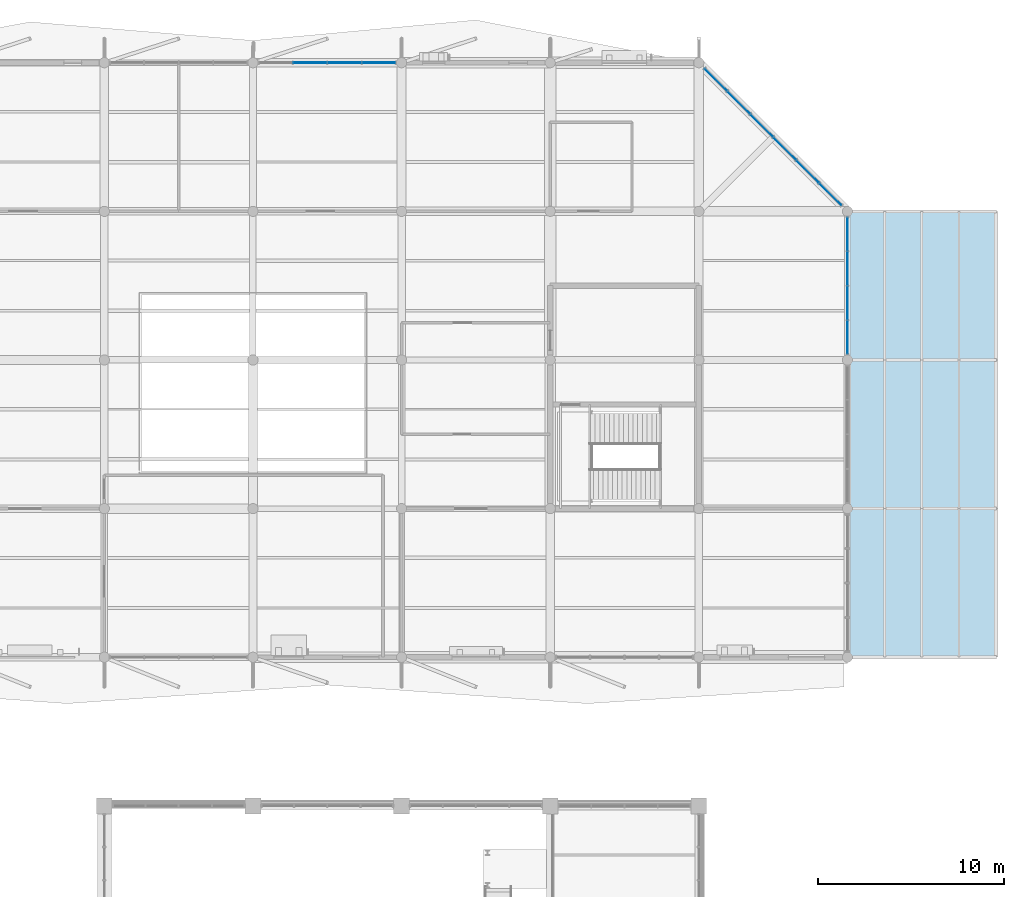
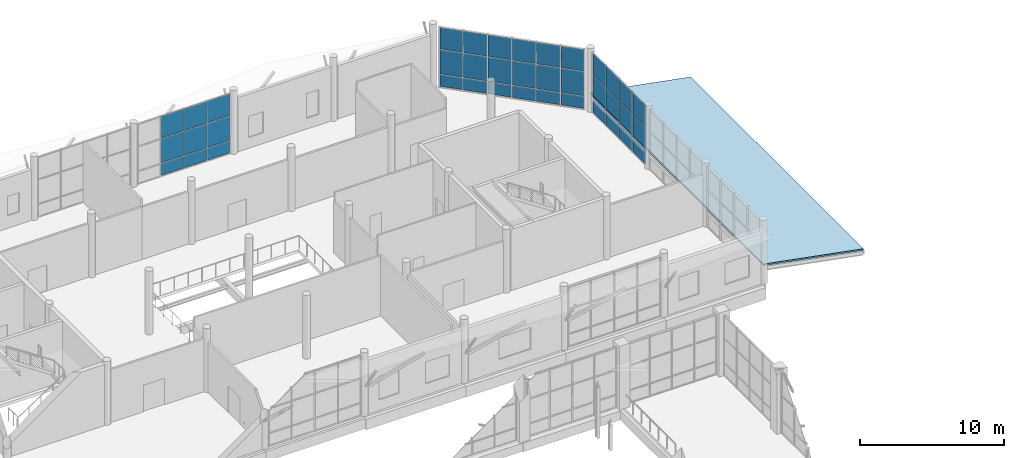
# One storey, part 97 of 122: 39 plates, 1 slab, 3 elements without a shape of their own.
"""IFC4 building model written with IfcOpenShell, lengths in metres."""

from ifc_helpers import new_model, si_unit, direction, frame, origin, origin_2d, place, context, subcontext, project, spatial, polyline, rectangle, outline, extrude, material, layer, layer_set, type_object, element, aggregate, save


model = new_model("IFC4")

# Units and contexts
model_context = context("Model", 3, precision=1e-05, world=origin(), true_north=direction((0.0, 1.0)))
body_context = subcontext(model_context, "Body", "Model", "MODEL_VIEW")
ifc_project = project(units=[si_unit("LENGTHUNIT", "METRE"), si_unit("AREAUNIT", "SQUARE_METRE"), si_unit("VOLUMEUNIT", "CUBIC_METRE"), si_unit("PLANEANGLEUNIT", "RADIAN"), si_unit("MASSUNIT", "GRAM", prefix="KILO")], contexts=[model_context])

# Site, building, storey
site_placement = place(None, origin())
site = spatial("IfcSite", under=ifc_project, at=site_placement, CompositionType="ELEMENT")
building_placement = place(site_placement, origin())
building = spatial("IfcBuilding", under=site, at=building_placement, Name="Tenunan Teduh Sports Hall", CompositionType="ELEMENT")
storey_placement = place(building_placement, frame((0.0, 0.0, 5.39990234375)))
storey = spatial("IfcBuildingStorey", under=building, at=storey_placement, Name="L01", CompositionType="ELEMENT", Elevation=5.39990234375)

# Curtain wall, plates
ifc_material_1 = material(Name="Anodised aluminium", Category="aluminium")
curtain_wall_type = type_object("IfcCurtainWallType", Name="CW-UNIT-1", PredefinedType="NOTDEFINED", material=ifc_material_1)
curtain_wall_1_placement = place(storey_placement, origin())
curtain_wall_1 = element("IfcCurtainWall", 1, at=curtain_wall_1_placement, inside=storey, type_object=curtain_wall_type, Name="CW-CWM-200-L01-248", PredefinedType="NOTDEFINED")
ifc_material_2 = material(Name="Low-E laminated double glazing", Category="glass")
ifc_layer_1 = layer(ifc_material_2, 0.028076171875)
ifc_layer_set_1 = layer_set([ifc_layer_1], Name="Low-E laminated double glazing")
plate_type_1 = type_object("IfcPlateType", Name="CWP-GLZ-28", PredefinedType="CURTAIN_PANEL", material=ifc_layer_set_1)
plate_1_placement = place(storey_placement, frame((154.919677734375, 117.080322265625, 1.13525390625), z_axis=(0.0, 0.0, 1.0), x_axis=(0.707106781187, -0.707106781187, 0.0)))
plate_1 = element("IfcPlate", 2, at=plate_1_placement, type_object=plate_type_1, Name="CW-01 panel 1.2", PredefinedType="CURTAIN_PANEL", context=body_context, shape_type="SweptSolid", body=[
    extrude(rectangle(XDim=1.64453125, YDim=0.028076171875, at=origin_2d()), origin(), (0.0, 0.0, 1.0), 2.030029296875),
])
plate_2_placement = place(storey_placement, frame((154.919677734375, 117.080322265625, 3.235107421875), z_axis=(0.0, 0.0, 1.0), x_axis=(0.707106781187, -0.707106781187, 0.0)))
plate_2 = element("IfcPlate", 3, at=plate_2_placement, type_object=plate_type_1, Name="CW-01 panel 1.3", PredefinedType="CURTAIN_PANEL", context=body_context, shape_type="SweptSolid", body=[
    extrude(rectangle(XDim=1.64453125, YDim=0.028076171875, at=origin_2d()), origin(), (0.0, 0.0, 1.0), 1.81494140625),
])
plate_3_placement = place(storey_placement, frame((156.144287109375, 115.855712890625, 1.13525390625), z_axis=(0.0, 0.0, 1.0), x_axis=(0.707106781187, -0.707106781187, 0.0)))
plate_3 = element("IfcPlate", 4, at=plate_3_placement, type_object=plate_type_1, Name="CW-01 panel 2.2", PredefinedType="CURTAIN_PANEL", context=body_context, shape_type="SweptSolid", body=[
    extrude(rectangle(XDim=1.679443359375, YDim=0.028076171875, at=origin_2d()), origin(), (0.0, 0.0, 1.0), 2.030029296875),
])
plate_4_placement = place(storey_placement, frame((156.144287109375, 115.855712890625, 3.235107421875), z_axis=(0.0, 0.0, 1.0), x_axis=(0.707106781187, -0.707106781187, 0.0)))
plate_4 = element("IfcPlate", 5, at=plate_4_placement, type_object=plate_type_1, Name="CW-01 panel 2.3", PredefinedType="CURTAIN_PANEL", context=body_context, shape_type="SweptSolid", body=[
    extrude(rectangle(XDim=1.679443359375, YDim=0.028076171875, at=origin_2d()), origin(), (0.0, 0.0, 1.0), 1.81494140625),
])
plate_5_placement = place(storey_placement, frame((157.38134765625, 114.61865234375, 1.13525390625), z_axis=(0.0, 0.0, 1.0), x_axis=(0.707106781187, -0.707106781187, 0.0)))
plate_5 = element("IfcPlate", 6, at=plate_5_placement, type_object=plate_type_1, Name="CW-01 panel 3.2", PredefinedType="CURTAIN_PANEL", context=body_context, shape_type="SweptSolid", body=[
    extrude(rectangle(XDim=1.679443359375, YDim=0.028076171875, at=origin_2d()), origin(), (0.0, 0.0, 1.0), 2.030029296875),
])
plate_6_placement = place(storey_placement, frame((157.38134765625, 114.61865234375, 3.235107421875), z_axis=(0.0, 0.0, 1.0), x_axis=(0.707106781187, -0.707106781187, 0.0)))
plate_6 = element("IfcPlate", 7, at=plate_6_placement, type_object=plate_type_1, Name="CW-01 panel 3.3", PredefinedType="CURTAIN_PANEL", context=body_context, shape_type="SweptSolid", body=[
    extrude(rectangle(XDim=1.679443359375, YDim=0.028076171875, at=origin_2d()), origin(), (0.0, 0.0, 1.0), 1.81494140625),
])
plate_7_placement = place(storey_placement, frame((158.61865234375, 113.38134765625, 1.13525390625), z_axis=(0.0, 0.0, 1.0), x_axis=(0.707106781187, -0.707106781187, 0.0)))
plate_7 = element("IfcPlate", 8, at=plate_7_placement, type_object=plate_type_1, Name="CW-01 panel 4.2", PredefinedType="CURTAIN_PANEL", context=body_context, shape_type="SweptSolid", body=[
    extrude(rectangle(XDim=1.679443359375, YDim=0.028076171875, at=origin_2d()), origin(), (0.0, 0.0, 1.0), 2.030029296875),
])
plate_8_placement = place(storey_placement, frame((158.61865234375, 113.38134765625, 3.235107421875), z_axis=(0.0, 0.0, 1.0), x_axis=(0.707106781187, -0.707106781187, 0.0)))
plate_8 = element("IfcPlate", 9, at=plate_8_placement, type_object=plate_type_1, Name="CW-01 panel 4.3", PredefinedType="CURTAIN_PANEL", context=body_context, shape_type="SweptSolid", body=[
    extrude(rectangle(XDim=1.679443359375, YDim=0.028076171875, at=origin_2d()), origin(), (0.0, 0.0, 1.0), 1.81494140625),
])
plate_9_placement = place(storey_placement, frame((159.855712890625, 112.144287109375, 1.13525390625), z_axis=(0.0, 0.0, 1.0), x_axis=(0.707106781187, -0.707106781187, 0.0)))
plate_9 = element("IfcPlate", 10, at=plate_9_placement, type_object=plate_type_1, Name="CW-01 panel 5.2", PredefinedType="CURTAIN_PANEL", context=body_context, shape_type="SweptSolid", body=[
    extrude(rectangle(XDim=1.679443359375, YDim=0.028076171875, at=origin_2d()), origin(), (0.0, 0.0, 1.0), 2.030029296875),
])
plate_10_placement = place(storey_placement, frame((159.855712890625, 112.144287109375, 3.235107421875), z_axis=(0.0, 0.0, 1.0), x_axis=(0.707106781187, -0.707106781187, 0.0)))
plate_10 = element("IfcPlate", 11, at=plate_10_placement, type_object=plate_type_1, Name="CW-01 panel 5.3", PredefinedType="CURTAIN_PANEL", context=body_context, shape_type="SweptSolid", body=[
    extrude(rectangle(XDim=1.679443359375, YDim=0.028076171875, at=origin_2d()), origin(), (0.0, 0.0, 1.0), 1.81494140625),
])
plate_11_placement = place(storey_placement, frame((161.080322265625, 110.919677734375, 1.13525390625), z_axis=(0.0, 0.0, 1.0), x_axis=(0.707106781187, -0.707106781187, 0.0)))
plate_11 = element("IfcPlate", 12, at=plate_11_placement, type_object=plate_type_1, Name="CW-01 panel 6.2", PredefinedType="CURTAIN_PANEL", context=body_context, shape_type="SweptSolid", body=[
    extrude(rectangle(XDim=1.64453125, YDim=0.028076171875, at=origin_2d()), origin(), (0.0, 0.0, 1.0), 2.030029296875),
])
plate_12_placement = place(storey_placement, frame((161.080322265625, 110.919677734375, 3.235107421875), z_axis=(0.0, 0.0, 1.0), x_axis=(0.707106781187, -0.707106781187, 0.0)))
plate_12 = element("IfcPlate", 13, at=plate_12_placement, type_object=plate_type_1, Name="CW-01 panel 6.3", PredefinedType="CURTAIN_PANEL", context=body_context, shape_type="SweptSolid", body=[
    extrude(rectangle(XDim=1.64453125, YDim=0.028076171875, at=origin_2d()), origin(), (0.0, 0.0, 1.0), 1.81494140625),
])

curtain_wall_2_placement = place(storey_placement, origin())
curtain_wall_2 = element("IfcCurtainWall", 14, at=curtain_wall_2_placement, inside=storey, type_object=curtain_wall_type, Name="CW-CWM-150-L01-247", PredefinedType="NOTDEFINED")
ifc_material_3 = material(Name="Solar-control laminated glazing", Category="glass")
ifc_layer_2 = layer(ifc_material_3, 0.031982421875)
ifc_layer_set_2 = layer_set([ifc_layer_2], Name="Solar-control laminated glazing")
plate_type_2 = type_object("IfcPlateType", Name="CWP-GLZ-32", PredefinedType="CURTAIN_PANEL", material=ifc_layer_set_2)
plate_13_placement = place(storey_placement, frame((162.0, 103.22119140625, 1.130126953125), z_axis=(0.0, 0.0, 1.0), x_axis=(0.0, 1.0, 0.0)))
plate_13 = element("IfcPlate", 15, at=plate_13_placement, type_object=plate_type_2, Name="CW-01 panel 1.2", PredefinedType="CURTAIN_PANEL", context=body_context, shape_type="SweptSolid", body=[
    extrude(rectangle(XDim=1.7724609375, YDim=0.031982421875, at=origin_2d()), origin(), (0.0, 0.0, 1.0), 2.0400390625),
])
plate_14_placement = place(storey_placement, frame((162.0, 103.22119140625, 3.22998046875), z_axis=(0.0, 0.0, 1.0), x_axis=(0.0, 1.0, 0.0)))
plate_14 = element("IfcPlate", 16, at=plate_14_placement, type_object=plate_type_2, Name="CW-01 panel 1.3", PredefinedType="CURTAIN_PANEL", context=body_context, shape_type="SweptSolid", body=[
    extrude(rectangle(XDim=1.7724609375, YDim=0.031982421875, at=origin_2d()), origin(), (0.0, 0.0, 1.0), 1.830078125),
])
plate_15_placement = place(storey_placement, frame((162.0, 105.06884765625, 1.130126953125), z_axis=(0.0, 0.0, 1.0), x_axis=(0.0, 1.0, 0.0)))
plate_15 = element("IfcPlate", 17, at=plate_15_placement, type_object=plate_type_2, Name="CW-01 panel 2.2", PredefinedType="CURTAIN_PANEL", context=body_context, shape_type="SweptSolid", body=[
    extrude(rectangle(XDim=1.802490234375, YDim=0.031982421875, at=origin_2d()), origin(), (0.0, 0.0, 1.0), 2.0400390625),
])
plate_16_placement = place(storey_placement, frame((162.0, 105.06884765625, 3.22998046875), z_axis=(0.0, 0.0, 1.0), x_axis=(0.0, 1.0, 0.0)))
plate_16 = element("IfcPlate", 18, at=plate_16_placement, type_object=plate_type_2, Name="CW-01 panel 2.3", PredefinedType="CURTAIN_PANEL", context=body_context, shape_type="SweptSolid", body=[
    extrude(rectangle(XDim=1.802490234375, YDim=0.031982421875, at=origin_2d()), origin(), (0.0, 0.0, 1.0), 1.830078125),
])
plate_17_placement = place(storey_placement, frame((162.0, 106.93115234375, 1.130126953125), z_axis=(0.0, 0.0, 1.0), x_axis=(0.0, 1.0, 0.0)))
plate_17 = element("IfcPlate", 19, at=plate_17_placement, type_object=plate_type_2, Name="CW-01 panel 3.2", PredefinedType="CURTAIN_PANEL", context=body_context, shape_type="SweptSolid", body=[
    extrude(rectangle(XDim=1.802490234375, YDim=0.031982421875, at=origin_2d()), origin(), (0.0, 0.0, 1.0), 2.0400390625),
])
plate_18_placement = place(storey_placement, frame((162.0, 106.93115234375, 3.22998046875), z_axis=(0.0, 0.0, 1.0), x_axis=(0.0, 1.0, 0.0)))
plate_18 = element("IfcPlate", 20, at=plate_18_placement, type_object=plate_type_2, Name="CW-01 panel 3.3", PredefinedType="CURTAIN_PANEL", context=body_context, shape_type="SweptSolid", body=[
    extrude(rectangle(XDim=1.802490234375, YDim=0.031982421875, at=origin_2d()), origin(), (0.0, 0.0, 1.0), 1.830078125),
])
plate_19_placement = place(storey_placement, frame((162.0, 108.77880859375, 1.130126953125), z_axis=(0.0, 0.0, 1.0), x_axis=(0.0, 1.0, 0.0)))
plate_19 = element("IfcPlate", 21, at=plate_19_placement, type_object=plate_type_2, Name="CW-01 panel 4.2", PredefinedType="CURTAIN_PANEL", context=body_context, shape_type="SweptSolid", body=[
    extrude(rectangle(XDim=1.7724609375, YDim=0.031982421875, at=origin_2d()), origin(), (0.0, 0.0, 1.0), 2.0400390625),
])
plate_20_placement = place(storey_placement, frame((162.0, 108.77880859375, 3.22998046875), z_axis=(0.0, 0.0, 1.0), x_axis=(0.0, 1.0, 0.0)))
plate_20 = element("IfcPlate", 22, at=plate_20_placement, type_object=plate_type_2, Name="CW-01 panel 4.3", PredefinedType="CURTAIN_PANEL", context=body_context, shape_type="SweptSolid", body=[
    extrude(rectangle(XDim=1.7724609375, YDim=0.031982421875, at=origin_2d()), origin(), (0.0, 0.0, 1.0), 1.830078125),
])

curtain_wall_3_placement = place(storey_placement, origin())
curtain_wall_3 = element("IfcCurtainWall", 23, at=curtain_wall_3_placement, inside=storey, type_object=curtain_wall_type, Name="CW-CWM-150-L01-251", PredefinedType="NOTDEFINED")
plate_21_placement = place(storey_placement, frame((133.06884765625, 118.0, 1.130126953125), z_axis=(0.0, 0.0, 1.0), x_axis=(1.0, 0.0, 0.0)))
plate_21 = element("IfcPlate", 24, at=plate_21_placement, type_object=plate_type_2, Name="CW-01 panel 2.2", PredefinedType="CURTAIN_PANEL", context=body_context, shape_type="SweptSolid", body=[
    extrude(rectangle(XDim=1.802490234375, YDim=0.031982421875, at=origin_2d()), origin(), (0.0, 0.0, 1.0), 2.0400390625),
])
plate_22_placement = place(storey_placement, frame((133.06884765625, 118.0, 3.22998046875), z_axis=(0.0, 0.0, 1.0), x_axis=(1.0, 0.0, 0.0)))
plate_22 = element("IfcPlate", 25, at=plate_22_placement, type_object=plate_type_2, Name="CW-01 panel 2.3", PredefinedType="CURTAIN_PANEL", context=body_context, shape_type="SweptSolid", body=[
    extrude(rectangle(XDim=1.802490234375, YDim=0.031982421875, at=origin_2d()), origin(), (0.0, 0.0, 1.0), 1.830078125),
])
plate_23_placement = place(storey_placement, frame((134.93115234375, 118.0, 1.130126953125), z_axis=(0.0, 0.0, 1.0), x_axis=(1.0, 0.0, 0.0)))
plate_23 = element("IfcPlate", 26, at=plate_23_placement, type_object=plate_type_2, Name="CW-01 panel 3.2", PredefinedType="CURTAIN_PANEL", context=body_context, shape_type="SweptSolid", body=[
    extrude(rectangle(XDim=1.802490234375, YDim=0.031982421875, at=origin_2d()), origin(), (0.0, 0.0, 1.0), 2.0400390625),
])
plate_24_placement = place(storey_placement, frame((134.93115234375, 118.0, 3.22998046875), z_axis=(0.0, 0.0, 1.0), x_axis=(1.0, 0.0, 0.0)))
plate_24 = element("IfcPlate", 27, at=plate_24_placement, type_object=plate_type_2, Name="CW-01 panel 3.3", PredefinedType="CURTAIN_PANEL", context=body_context, shape_type="SweptSolid", body=[
    extrude(rectangle(XDim=1.802490234375, YDim=0.031982421875, at=origin_2d()), origin(), (0.0, 0.0, 1.0), 1.830078125),
])
plate_25_placement = place(storey_placement, frame((136.77880859375, 118.0, 1.130126953125), z_axis=(0.0, 0.0, 1.0), x_axis=(1.0, 0.0, 0.0)))
plate_25 = element("IfcPlate", 28, at=plate_25_placement, type_object=plate_type_2, Name="CW-01 panel 4.2", PredefinedType="CURTAIN_PANEL", context=body_context, shape_type="SweptSolid", body=[
    extrude(rectangle(XDim=1.7724609375, YDim=0.031982421875, at=origin_2d()), origin(), (0.0, 0.0, 1.0), 2.0400390625),
])
plate_26_placement = place(storey_placement, frame((136.77880859375, 118.0, 3.22998046875), z_axis=(0.0, 0.0, 1.0), x_axis=(1.0, 0.0, 0.0)))
plate_26 = element("IfcPlate", 29, at=plate_26_placement, type_object=plate_type_2, Name="CW-01 panel 4.3", PredefinedType="CURTAIN_PANEL", context=body_context, shape_type="SweptSolid", body=[
    extrude(rectangle(XDim=1.7724609375, YDim=0.031982421875, at=origin_2d()), origin(), (0.0, 0.0, 1.0), 1.830078125),
])

# Plate
ifc_material_4 = material(Name="Insulated aluminium spandrel panel", Category="aluminium")
ifc_layer_3 = layer(ifc_material_4, 0.044921875)
ifc_layer_set_3 = layer_set([ifc_layer_3], Name="Insulated aluminium spandrel panel")
plate_type_3 = type_object("IfcPlateType", Name="CWP-SPN-45", PredefinedType="CURTAIN_PANEL", material=ifc_layer_set_3)
plate_27_placement = place(storey_placement, frame((162.0, 103.22119140625, 0.06005859375), z_axis=(0.0, 0.0, 1.0), x_axis=(0.0, 1.0, 0.0)))
plate_27 = element("IfcPlate", 30, at=plate_27_placement, type_object=plate_type_3, Name="CW-01 panel 1.1", PredefinedType="CURTAIN_PANEL", context=body_context, shape_type="SweptSolid", body=[
    extrude(rectangle(XDim=1.7724609375, YDim=0.031982421875, at=origin_2d()), origin(), (0.0, 0.0, 1.0), 1.010009765625),
])

plate_28_placement = place(storey_placement, frame((162.0, 105.06884765625, 0.06005859375), z_axis=(0.0, 0.0, 1.0), x_axis=(0.0, 1.0, 0.0)))
plate_28 = element("IfcPlate", 31, at=plate_28_placement, type_object=plate_type_3, Name="CW-01 panel 2.1", PredefinedType="CURTAIN_PANEL", context=body_context, shape_type="SweptSolid", body=[
    extrude(rectangle(XDim=1.802490234375, YDim=0.031982421875, at=origin_2d()), origin(), (0.0, 0.0, 1.0), 1.010009765625),
])

plate_29_placement = place(storey_placement, frame((162.0, 106.93115234375, 0.06005859375), z_axis=(0.0, 0.0, 1.0), x_axis=(0.0, 1.0, 0.0)))
plate_29 = element("IfcPlate", 32, at=plate_29_placement, type_object=plate_type_3, Name="CW-01 panel 3.1", PredefinedType="CURTAIN_PANEL", context=body_context, shape_type="SweptSolid", body=[
    extrude(rectangle(XDim=1.802490234375, YDim=0.031982421875, at=origin_2d()), origin(), (0.0, 0.0, 1.0), 1.010009765625),
])

plate_30_placement = place(storey_placement, frame((162.0, 108.77880859375, 0.06005859375), z_axis=(0.0, 0.0, 1.0), x_axis=(0.0, 1.0, 0.0)))
plate_30 = element("IfcPlate", 33, at=plate_30_placement, type_object=plate_type_3, Name="CW-01 panel 4.1", PredefinedType="CURTAIN_PANEL", context=body_context, shape_type="SweptSolid", body=[
    extrude(rectangle(XDim=1.7724609375, YDim=0.031982421875, at=origin_2d()), origin(), (0.0, 0.0, 1.0), 1.010009765625),
])

aggregate(curtain_wall_2, [plate_27, plate_13, plate_14, plate_28, plate_15, plate_16, plate_29, plate_17, plate_18, plate_30, plate_19, plate_20])

plate_31_placement = place(storey_placement, frame((154.919677734375, 117.080322265625, 0.070068359375), z_axis=(0.0, 0.0, 1.0), x_axis=(0.707106781187, -0.707106781187, 0.0)))
plate_31 = element("IfcPlate", 34, at=plate_31_placement, type_object=plate_type_3, Name="CW-01 panel 1.1", PredefinedType="CURTAIN_PANEL", context=body_context, shape_type="SweptSolid", body=[
    extrude(rectangle(XDim=1.64453125, YDim=0.028076171875, at=origin_2d()), origin(), (0.0, 0.0, 1.0), 0.9951171875),
])

plate_32_placement = place(storey_placement, frame((156.144287109375, 115.855712890625, 0.070068359375), z_axis=(0.0, 0.0, 1.0), x_axis=(0.707106781187, -0.707106781187, 0.0)))
plate_32 = element("IfcPlate", 35, at=plate_32_placement, type_object=plate_type_3, Name="CW-01 panel 2.1", PredefinedType="CURTAIN_PANEL", context=body_context, shape_type="SweptSolid", body=[
    extrude(rectangle(XDim=1.679443359375, YDim=0.028076171875, at=origin_2d()), origin(), (0.0, 0.0, 1.0), 0.9951171875),
])

plate_33_placement = place(storey_placement, frame((157.38134765625, 114.61865234375, 0.070068359375), z_axis=(0.0, 0.0, 1.0), x_axis=(0.707106781187, -0.707106781187, 0.0)))
plate_33 = element("IfcPlate", 36, at=plate_33_placement, type_object=plate_type_3, Name="CW-01 panel 3.1", PredefinedType="CURTAIN_PANEL", context=body_context, shape_type="SweptSolid", body=[
    extrude(rectangle(XDim=1.679443359375, YDim=0.028076171875, at=origin_2d()), origin(), (0.0, 0.0, 1.0), 0.9951171875),
])

plate_34_placement = place(storey_placement, frame((158.61865234375, 113.38134765625, 0.070068359375), z_axis=(0.0, 0.0, 1.0), x_axis=(0.707106781187, -0.707106781187, 0.0)))
plate_34 = element("IfcPlate", 37, at=plate_34_placement, type_object=plate_type_3, Name="CW-01 panel 4.1", PredefinedType="CURTAIN_PANEL", context=body_context, shape_type="SweptSolid", body=[
    extrude(rectangle(XDim=1.679443359375, YDim=0.028076171875, at=origin_2d()), origin(), (0.0, 0.0, 1.0), 0.9951171875),
])

plate_35_placement = place(storey_placement, frame((159.855712890625, 112.144287109375, 0.070068359375), z_axis=(0.0, 0.0, 1.0), x_axis=(0.707106781187, -0.707106781187, 0.0)))
plate_35 = element("IfcPlate", 38, at=plate_35_placement, type_object=plate_type_3, Name="CW-01 panel 5.1", PredefinedType="CURTAIN_PANEL", context=body_context, shape_type="SweptSolid", body=[
    extrude(rectangle(XDim=1.679443359375, YDim=0.028076171875, at=origin_2d()), origin(), (0.0, 0.0, 1.0), 0.9951171875),
])

plate_36_placement = place(storey_placement, frame((161.080322265625, 110.919677734375, 0.070068359375), z_axis=(0.0, 0.0, 1.0), x_axis=(0.707106781187, -0.707106781187, 0.0)))
plate_36 = element("IfcPlate", 39, at=plate_36_placement, type_object=plate_type_3, Name="CW-01 panel 6.1", PredefinedType="CURTAIN_PANEL", context=body_context, shape_type="SweptSolid", body=[
    extrude(rectangle(XDim=1.64453125, YDim=0.028076171875, at=origin_2d()), origin(), (0.0, 0.0, 1.0), 0.9951171875),
])

aggregate(curtain_wall_1, [plate_31, plate_1, plate_2, plate_32, plate_3, plate_4, plate_33, plate_5, plate_6, plate_34, plate_7, plate_8, plate_35, plate_9, plate_10, plate_36, plate_11, plate_12])

plate_37_placement = place(storey_placement, frame((133.06884765625, 118.0, 0.06005859375), z_axis=(0.0, 0.0, 1.0), x_axis=(1.0, 0.0, 0.0)))
plate_37 = element("IfcPlate", 40, at=plate_37_placement, type_object=plate_type_3, Name="CW-01 panel 2.1", PredefinedType="CURTAIN_PANEL", context=body_context, shape_type="SweptSolid", body=[
    extrude(rectangle(XDim=1.802490234375, YDim=0.031982421875, at=origin_2d()), origin(), (0.0, 0.0, 1.0), 1.010009765625),
])

plate_38_placement = place(storey_placement, frame((134.93115234375, 118.0, 0.06005859375), z_axis=(0.0, 0.0, 1.0), x_axis=(1.0, 0.0, 0.0)))
plate_38 = element("IfcPlate", 41, at=plate_38_placement, type_object=plate_type_3, Name="CW-01 panel 3.1", PredefinedType="CURTAIN_PANEL", context=body_context, shape_type="SweptSolid", body=[
    extrude(rectangle(XDim=1.802490234375, YDim=0.031982421875, at=origin_2d()), origin(), (0.0, 0.0, 1.0), 1.010009765625),
])

plate_39_placement = place(storey_placement, frame((136.77880859375, 118.0, 0.06005859375), z_axis=(0.0, 0.0, 1.0), x_axis=(1.0, 0.0, 0.0)))
plate_39 = element("IfcPlate", 42, at=plate_39_placement, type_object=plate_type_3, Name="CW-01 panel 4.1", PredefinedType="CURTAIN_PANEL", context=body_context, shape_type="SweptSolid", body=[
    extrude(rectangle(XDim=1.7724609375, YDim=0.031982421875, at=origin_2d()), origin(), (0.0, 0.0, 1.0), 1.010009765625),
])

aggregate(curtain_wall_3, [plate_37, plate_21, plate_22, plate_38, plate_23, plate_24, plate_39, plate_25, plate_26])

# Slab
ifc_material_5 = material(Name="Concrete C40/50", Category="concrete")
ifc_layer_4 = layer(ifc_material_5, 0.1298828125)
ifc_layer_set_4 = layer_set([ifc_layer_4], Name="Concrete C40/50")
slab_type = type_object("IfcSlabType", Name="SLB-ROOF-130", PredefinedType="ROOF", material=ifc_layer_set_4)
slab_placement = place(storey_placement, frame((170.0, 86.0, 0.02001953125), z_axis=(0.18428853505, 0.0, 0.982872186934), x_axis=(0.0, 1.0, 0.0)))
element("IfcSlab", 43, at=slab_placement, inside=storey, type_object=slab_type, Name="SL-COL-E", PredefinedType="ROOF", context=body_context, shape_type="SweptSolid", body=[
    extrude(outline(polyline([(0.0, 0.0), (24.0, 0.0), (24.0, 8.139410298049853), (0.0, 8.139410298049853), (0.0, 0.0)])), origin(), (0.0, 0.0, -1.0), 0.1298828125),
])

save(model, "model.ifc")
